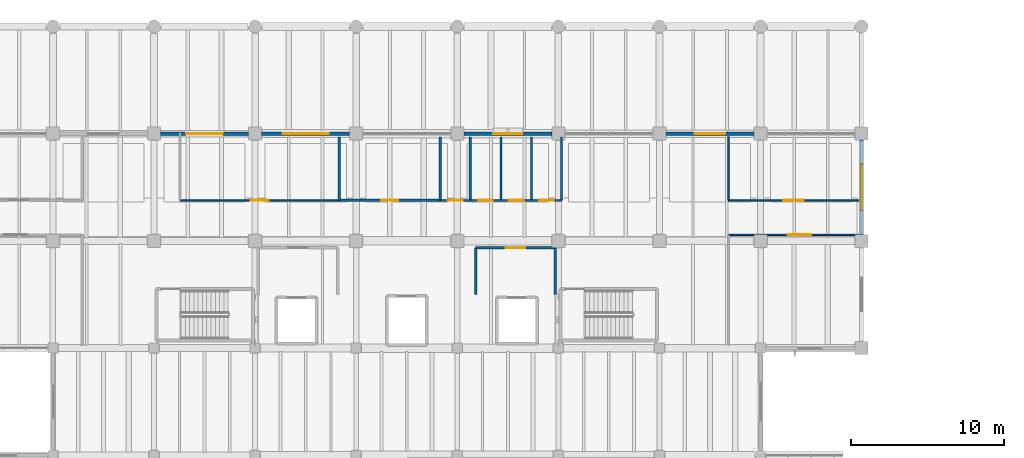
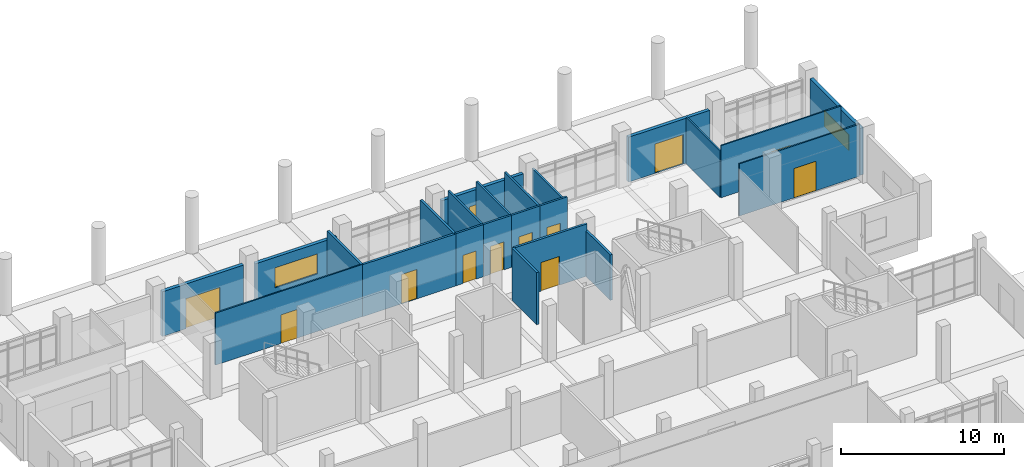
# One storey, part 50 of 69: 23 walls, 11 doors, 3 windows, 14 openings.
"""IFC4 building model written with IfcOpenShell, lengths in metres."""

import ifcopenshell
import ifcopenshell.guid

model = None  # the IFC model being written
_history = None  # IfcOwnerHistory: only IFC2X3 demands one
_inside = {}  # id of a spatial element -> (the spatial element, [elements in it])
_under = {}  # id of a project, library or spatial element -> (it, [spatial elements below it])
_declared = {}  # id of a project -> (the project, [libraries it declares])
_typed = {}  # id of a type object -> (the type object, [elements of that type])
_made_of = {}  # id of a material, layer set ... -> (it, [elements and type objects made of it])


def new_model(schema):
    """Start an empty IFC model of exactly this schema.

    Asked for "IFC4X3", IfcOpenShell would pick the latest addendum, in which some entities
    have other attributes; the version numbers below select the first issue.
    IFC2X3 requires an IfcOwnerHistory on every rooted entity: one is made here for all.
    """
    global model, _history
    if schema == "IFC4X3":
        model = ifcopenshell.file(schema_version=(4, 3, 0, 0))
    else:
        model = ifcopenshell.file(schema=schema)
    _inside.clear()
    _under.clear()
    _declared.clear()
    _typed.clear()
    _made_of.clear()
    _history = None
    if model.schema == "IFC2X3":
        org = make("IfcOrganization", Name="unknown")
        user = make(
            "IfcPersonAndOrganization",
            ThePerson=make("IfcPerson", FamilyName="unknown"),
            TheOrganization=org,
        )
        app = make(
            "IfcApplication",
            ApplicationDeveloper=org,
            Version="unknown",
            ApplicationFullName="unknown",
            ApplicationIdentifier="unknown",
        )
        _history = make(
            "IfcOwnerHistory",
            OwningUser=user,
            OwningApplication=app,
            ChangeAction="ADDED",
            CreationDate=0,
        )
    return model


def make(cls, **values):
    """One entity of the class cls with the attributes given. An attribute that is None is left unset."""
    return model.create_entity(
        cls, **{name: value for name, value in values.items() if value is not None}
    )


def rooted(cls, **values):
    """An entity with a GlobalId (a new one), such as an element, a storey or a relation."""
    return make(cls, GlobalId=ifcopenshell.guid.new(), OwnerHistory=_history, **values)


def si_unit(unit_type, name, prefix=None):
    """IfcSIUnit, for example si_unit("LENGTHUNIT", "METRE", prefix="MILLI")."""
    return make("IfcSIUnit", UnitType=unit_type, Prefix=prefix, Name=name)


def assignment(units):
    """IfcUnitAssignment: the units of a project."""
    return None if units is None else make("IfcUnitAssignment", Units=units)


def point(xyz):
    """IfcCartesianPoint."""
    return None if xyz is None else make("IfcCartesianPoint", Coordinates=xyz)


def direction(xyz):
    """IfcDirection."""
    return None if xyz is None else make("IfcDirection", DirectionRatios=xyz)


def frame(location, z_axis=None, x_axis=None):
    """IfcAxis2Placement3D, a coordinate frame: its origin and axes. An axis left out is left unset."""
    return make(
        "IfcAxis2Placement3D",
        Location=point(location),
        Axis=direction(z_axis),
        RefDirection=direction(x_axis),
    )


def frame_2d(location, x_axis=None):
    """IfcAxis2Placement2D, a coordinate frame in the plane: its origin and x axis."""
    return make(
        "IfcAxis2Placement2D", Location=point(location), RefDirection=direction(x_axis)
    )


def origin():
    """The frame at (0, 0, 0) with its axes left unset."""
    return frame((0.0, 0.0, 0.0))


def place(relative_to, where):
    """IfcLocalPlacement: puts the frame where relative to a parent placement (None: the world)."""
    return make(
        "IfcLocalPlacement", PlacementRelTo=relative_to, RelativePlacement=where
    )


def context(
    kind, dimensions, precision=None, world=None, true_north=None, identifier=None
):
    """IfcGeometricRepresentationContext, for example the 3D "Model" context."""
    return make(
        "IfcGeometricRepresentationContext",
        ContextIdentifier=identifier,
        ContextType=kind,
        CoordinateSpaceDimension=dimensions,
        Precision=precision,
        WorldCoordinateSystem=world,
        TrueNorth=true_north,
    )


def subcontext(parent, identifier, kind, view, scale=None):
    """IfcGeometricRepresentationSubContext, for example "Body" below "Model"."""
    return make(
        "IfcGeometricRepresentationSubContext",
        ContextIdentifier=identifier,
        ContextType=kind,
        ParentContext=parent,
        TargetScale=scale,
        TargetView=view,
    )


def project(units=None, contexts=None):
    """IfcProject with its units and contexts."""
    return rooted(
        "IfcProject",
        Name="project",
        RepresentationContexts=contexts,
        UnitsInContext=assignment(units),
    )


def spatial(cls, under=None, at=None, **own):
    """A site, building, storey or space (cls), placed at a placement, below another one or the project."""
    s = rooted(cls, ObjectPlacement=at, **own)
    if under is not None:
        _under.setdefault(under.id(), (under, []))[1].append(s)
    return s


def profile(cls, at=None, kind="AREA", **sizes):
    """A parametric profile (cls). Its sizes go by their IFC names, for example OverallWidth=200.0."""
    return make(cls, ProfileType=kind, Position=at, **sizes)


def rectangle(**sizes):
    """IfcRectangleProfileDef."""
    return profile("IfcRectangleProfileDef", **sizes)


def extrude(swept, where, along, depth):
    """IfcExtrudedAreaSolid: the profile swept, set in the frame where, extruded along a direction by depth."""
    return make(
        "IfcExtrudedAreaSolid",
        SweptArea=swept,
        Position=where,
        ExtrudedDirection=direction(along),
        Depth=depth,
    )


def shape(context_of_items, identifier, shape_type, items):
    """IfcShapeRepresentation: the items that make up one representation, for example the "Body"."""
    return make(
        "IfcShapeRepresentation",
        ContextOfItems=context_of_items,
        RepresentationIdentifier=identifier,
        RepresentationType=shape_type,
        Items=items,
    )


def material(Name=None, Category=None):
    """IfcMaterial."""
    return make("IfcMaterial", Name=Name, Category=Category)


def layer(
    of_material, thickness, ventilated=None, Name=None, Category=None, Priority=None
):
    """IfcMaterialLayer: one layer of a wall or slab, of a material (None: an air gap)."""
    return make(
        "IfcMaterialLayer",
        Material=of_material,
        LayerThickness=thickness,
        IsVentilated=ventilated,
        Name=Name,
        Category=Category,
        Priority=Priority,
    )


def layer_set(layers, Name=None):
    """IfcMaterialLayerSet."""
    return make("IfcMaterialLayerSet", MaterialLayers=layers, LayerSetName=Name)


def made_of(thing, what):
    """Note that an element or type object is made of a material, layer set ...; save() writes the relation."""
    if what is not None:
        _made_of.setdefault(what.id(), (what, []))[1].append(thing)
    return thing


def type_object(cls, material=None, **own):
    """A type object (cls), such as IfcWallType, which elements share."""
    return made_of(rooted(cls, **own), material)


def element(
    cls,
    number,
    at=None,
    inside=None,
    cuts=None,
    type_object=None,
    material=None,
    context=None,
    identifier="Body",
    shape_type=None,
    held_by="IfcProductDefinitionShape",
    body=None,
    shapes=None,
    **own,
):
    """One element of the class cls, such as IfcWall. Its Tag is "e" and its number.

    at: its placement. inside: the storey or other place that contains it. cuts: it is an
    opening in that element (IfcRelVoidsElement). A single representation is given by context,
    identifier, shape_type and body (its items); several are given by shapes. held_by: the class
    of the entity that holds the representations. save() writes the other relations.
    """
    e = rooted(cls, Tag="e%d" % number, ObjectPlacement=at, **own)
    if body is not None:
        shapes = [shape(context, identifier, shape_type, body)]
    if shapes is not None:
        e.Representation = make(held_by, Representations=shapes)
    if inside is not None:
        _inside.setdefault(inside.id(), (inside, []))[1].append(e)
    if cuts is not None:
        rooted(
            "IfcRelVoidsElement", RelatingBuildingElement=cuts, RelatedOpeningElement=e
        )
    if type_object is not None:
        _typed.setdefault(type_object.id(), (type_object, []))[1].append(e)
    return made_of(e, material)


def fill(opening, filler):
    """IfcRelFillsElement: the door or window that sits in an opening."""
    return rooted(
        "IfcRelFillsElement",
        RelatingOpeningElement=opening,
        RelatedBuildingElement=filler,
    )


def aggregate(whole, parts):
    """IfcRelAggregates: a whole, such as a stair, and the parts it consists of."""
    return rooted("IfcRelAggregates", RelatingObject=whole, RelatedObjects=parts)


def save(model, path):
    """Write the relations noted so far, then the file.

    IfcRelAggregates (storeys below a building ...), IfcRelContainedInSpatialStructure (elements
    in a storey), IfcRelDefinesByType, IfcRelAssociatesMaterial and IfcRelDeclares: one each for
    every whole, place, type object, material and project.
    """
    for whole, parts in _under.values():
        aggregate(whole, parts)
    for where, things in _inside.values():
        rooted(
            "IfcRelContainedInSpatialStructure",
            RelatedElements=things,
            RelatingStructure=where,
        )
    for kind, things in _typed.values():
        rooted("IfcRelDefinesByType", RelatedObjects=things, RelatingType=kind)
    for what, things in _made_of.values():
        rooted("IfcRelAssociatesMaterial", RelatedObjects=things, RelatingMaterial=what)
    for by, libraries in _declared.values():
        rooted("IfcRelDeclares", RelatingContext=by, RelatedDefinitions=libraries)
    model.write(path)


model = new_model("IFC4")

# Units and contexts
model_context = context("Model", 3, precision=1e-05, world=origin(), true_north=direction((0.0, 1.0)))
body_context = subcontext(model_context, "Body", "Model", "MODEL_VIEW")
ifc_project = project(units=[si_unit("LENGTHUNIT", "METRE"), si_unit("AREAUNIT", "SQUARE_METRE"), si_unit("VOLUMEUNIT", "CUBIC_METRE"), si_unit("PLANEANGLEUNIT", "RADIAN"), si_unit("MASSUNIT", "GRAM", prefix="KILO")], contexts=[model_context])

# Site, building, storey
site_placement = place(None, origin())
site = spatial("IfcSite", under=ifc_project, at=site_placement, CompositionType="ELEMENT")
building_placement = place(site_placement, origin())
building = spatial("IfcBuilding", under=site, at=building_placement, Name="Ciguamira Faculty of Natural Sciences", CompositionType="ELEMENT")
storey_placement = place(building_placement, origin())
storey = spatial("IfcBuildingStorey", under=building, at=storey_placement, Name="L00", CompositionType="ELEMENT", Elevation=0.0)

# Wall, opening, door
ifc_material_1 = material(Name="Precast concrete C40/50", Category="concrete")
ifc_layer_1 = layer(ifc_material_1, 0.239990234375, Name="Precast concrete C40/50")
ifc_layer_set_1 = layer_set([ifc_layer_1], Name="Precast concrete C40/50")
wall_type_1 = type_object("IfcWallType", Name="ExtWall_EW-02_240", PredefinedType="SOLIDWALL", material=ifc_layer_set_1)
wall_1_placement = place(storey_placement, frame((70.925048828125, 108.0, 0.0), z_axis=(0.0, 0.0, 1.0), x_axis=(1.0, 0.0, 0.0)))
wall_1 = element("IfcWall", 1, at=wall_1_placement, inside=storey, type_object=wall_type_1, Name="L00 exterior wall 0101", PredefinedType="SOLIDWALL", context=body_context, shape_type="SweptSolid", body=[
    extrude(rectangle(XDim=5.75, YDim=0.239990234375, at=frame_2d((2.875, 0.0))), origin(), (0.0, 0.0, 1.0), 3.344970703125),
])
opening_1_placement = place(wall_1_placement, frame((1.675048828125, 0.0, 0.0)))
opening_1 = element("IfcOpeningElement", 2, at=opening_1_placement, cuts=wall_1, Name="Opening ED-03", PredefinedType="OPENING", context=body_context, shape_type="SweptSolid", body=[
    extrude(rectangle(XDim=2.39990234375, YDim=2.25, at=frame_2d((1.199951171875, 1.125))), frame((0.0, 0.1298828125, 0.0), z_axis=(0.0, -1.0, 0.0), x_axis=(1.0, 0.0, 0.0)), (0.0, 0.0, 1.0), 0.260009765625),
])
ifc_material_2 = material(Name="Grand concourse glazed entrance door")
door_type_1 = type_object("IfcDoorType", Name="ExtDoor_ED-03_2400x2250", OperationType="NOTDEFINED", PredefinedType="DOOR", material=ifc_material_2)
door_1_placement = place(opening_1_placement, origin())
door_1 = element("IfcDoor", 3, at=door_1_placement, inside=storey, type_object=door_type_1, Name="North Boulevard Pilotis Main Entrance ED-13", OperationType="DOUBLE_DOOR_SINGLE_SWING", OverallHeight=2.25, OverallWidth=2.39990234375, PredefinedType="DOOR", context=body_context, shape_type="SweptSolid", body=[
    extrude(rectangle(XDim=2.39990234375, YDim=2.25, at=frame_2d((1.199951171875, 1.125))), frame((0.0, 0.02490234375, 0.0), z_axis=(0.0, -1.0, 0.0), x_axis=(1.0, 0.0, 0.0)), (0.0, 0.0, 1.0), 0.050048828125),
])
fill(opening_1, door_1)

# Wall, opening, window
wall_2_placement = place(storey_placement, frame((77.52490234375, 108.0, 0.0), z_axis=(0.0, 0.0, 1.0), x_axis=(1.0, 0.0, 0.0)))
wall_2 = element("IfcWall", 4, at=wall_2_placement, inside=storey, type_object=wall_type_1, Name="L00 exterior wall 0102", PredefinedType="SOLIDWALL", context=body_context, shape_type="SweptSolid", body=[
    extrude(rectangle(XDim=5.75, YDim=0.239990234375, at=frame_2d((2.875, 0.0))), origin(), (0.0, 0.0, 1.0), 3.135009765625),
])
opening_2_placement = place(wall_2_placement, frame((1.375, 0.0, 0.85009765625)))
opening_2 = element("IfcOpeningElement", 5, at=opening_2_placement, cuts=wall_2, Name="Opening WT-14", PredefinedType="OPENING", context=body_context, shape_type="SweptSolid", body=[
    extrude(rectangle(XDim=3.0, YDim=1.5, at=frame_2d((1.5, 0.75))), frame((0.0, 0.1298828125, 0.0), z_axis=(0.0, -1.0, 0.0), x_axis=(1.0, 0.0, 0.0)), (0.0, 0.0, 1.0), 0.260009765625),
])
ifc_material_3 = material(Name="Hurricane laminated solar glass", Category="glass")
window_type_1 = type_object("IfcWindowType", Name="Window_WT-14_3000x1500", PartitioningType="DOUBLE_PANEL_VERTICAL", PredefinedType="WINDOW", material=ifc_material_3)
window_1_placement = place(opening_2_placement, origin())
window_1 = element("IfcWindow", 6, at=window_1_placement, inside=storey, type_object=window_type_1, Name="L00 facade window 0025", OverallHeight=1.5, OverallWidth=3.0, PartitioningType="SINGLE_PANEL", PredefinedType="WINDOW", context=body_context, shape_type="SweptSolid", body=[
    extrude(rectangle(XDim=3.0, YDim=1.5, at=frame_2d((1.5, 0.75))), frame((0.0, 0.030029296875, 0.0), z_axis=(0.0, -1.0, 0.0), x_axis=(1.0, 0.0, 0.0)), (0.0, 0.0, 1.0), 0.06005859375),
])
fill(opening_2, window_1)

wall_3_placement = place(storey_placement, frame((90.72509765625, 108.0, 0.0), z_axis=(0.0, 0.0, 1.0), x_axis=(1.0, 0.0, 0.0)))
wall_3 = element("IfcWall", 7, at=wall_3_placement, inside=storey, type_object=wall_type_1, Name="L00 exterior wall 0103", PredefinedType="SOLIDWALL", context=body_context, shape_type="SweptSolid", body=[
    extrude(rectangle(XDim=5.75, YDim=0.239990234375, at=frame_2d((2.875, 0.0))), origin(), (0.0, 0.0, 1.0), 3.235107421875),
])
opening_3_placement = place(wall_3_placement, frame((1.925048828125, 0.0, 0.85009765625)))
opening_3 = element("IfcOpeningElement", 8, at=opening_3_placement, cuts=wall_3, Name="Opening WT-17", PredefinedType="OPENING", context=body_context, shape_type="SweptSolid", body=[
    extrude(rectangle(XDim=1.89990234375, YDim=1.25, at=frame_2d((0.949951171875, 0.625))), frame((0.0, 0.1298828125, 0.0), z_axis=(0.0, -1.0, 0.0), x_axis=(1.0, 0.0, 0.0)), (0.0, 0.0, 1.0), 0.260009765625),
])
window_type_2 = type_object("IfcWindowType", Name="Window_WT-17_1900x1250", PartitioningType="DOUBLE_PANEL_VERTICAL", PredefinedType="WINDOW", material=ifc_material_3)
window_2_placement = place(opening_3_placement, origin())
window_2 = element("IfcWindow", 9, at=window_2_placement, inside=storey, type_object=window_type_2, Name="L00 facade window 0026", OverallHeight=1.25, OverallWidth=1.89990234375, PartitioningType="SINGLE_PANEL", PredefinedType="WINDOW", context=body_context, shape_type="SweptSolid", body=[
    extrude(rectangle(XDim=1.89990234375, YDim=1.25, at=frame_2d((0.949951171875, 0.625))), frame((0.0, 0.030029296875, 0.0), z_axis=(0.0, -1.0, 0.0), x_axis=(1.0, 0.0, 0.0)), (0.0, 0.0, 1.0), 0.06005859375),
])
fill(opening_3, window_2)

# Wall, opening, door
wall_4_placement = place(storey_placement, frame((103.925048828125, 108.0, 0.0), z_axis=(0.0, 0.0, 1.0), x_axis=(1.0, 0.0, 0.0)))
wall_4 = element("IfcWall", 10, at=wall_4_placement, inside=storey, type_object=wall_type_1, Name="L00 exterior wall 0104", PredefinedType="SOLIDWALL", context=body_context, shape_type="SweptSolid", body=[
    extrude(rectangle(XDim=5.75, YDim=0.239990234375, at=frame_2d((2.875, 0.0))), origin(), (0.0, 0.0, 1.0), 3.364990234375),
])
opening_4_placement = place(wall_4_placement, frame((1.875, 0.0, 0.0)))
opening_4 = element("IfcOpeningElement", 11, at=opening_4_placement, cuts=wall_4, Name="Opening ED-01", PredefinedType="OPENING", context=body_context, shape_type="SweptSolid", body=[
    extrude(rectangle(XDim=2.0, YDim=2.199951171875, at=frame_2d((1.0, 1.10009765625))), frame((0.0, 0.1298828125, 0.0), z_axis=(0.0, -1.0, 0.0), x_axis=(1.0, 0.0, 0.0)), (0.0, 0.0, 1.0), 0.260009765625),
])
ifc_material_4 = material(Name="Anodized aluminium double exit door", Category="aluminium")
door_type_2 = type_object("IfcDoorType", Name="ExtDoor_ED-01_2000x2200", OperationType="NOTDEFINED", PredefinedType="DOOR", material=ifc_material_4)
door_2_placement = place(opening_4_placement, origin())
door_2 = element("IfcDoor", 12, at=door_2_placement, inside=storey, type_object=door_type_2, Name="Tower East Boulevard Final Exit ED-14", OperationType="DOUBLE_DOOR_SINGLE_SWING", OverallHeight=2.199951171875, OverallWidth=2.0, PredefinedType="DOOR", context=body_context, shape_type="SweptSolid", body=[
    extrude(rectangle(XDim=2.0, YDim=2.199951171875, at=frame_2d((1.0, 1.10009765625))), frame((0.0, 0.02490234375, 0.0), z_axis=(0.0, -1.0, 0.0), x_axis=(1.0, 0.0, 0.0)), (0.0, 0.0, 1.0), 0.050048828125),
])
fill(opening_4, door_2)

# Wall, opening, window
wall_5_placement = place(storey_placement, frame((116.699951171875, 101.425048828125, 0.0), z_axis=(0.0, 0.0, 1.0), x_axis=(0.0, 1.0, 0.0)))
wall_5 = element("IfcWall", 13, at=wall_5_placement, inside=storey, type_object=wall_type_1, Name="L00 exterior wall 0132", PredefinedType="SOLIDWALL", context=body_context, shape_type="SweptSolid", body=[
    extrude(rectangle(XDim=6.14990234375, YDim=0.239990234375, at=frame_2d((3.074951171875, 0.0))), origin(), (0.0, 0.0, 1.0), 3.5048828125),
])
opening_5_placement = place(wall_5_placement, frame((1.574951171875, 0.0, 0.85009765625)))
opening_5 = element("IfcOpeningElement", 14, at=opening_5_placement, cuts=wall_5, Name="Opening WT-33", PredefinedType="OPENING", context=body_context, shape_type="SweptSolid", body=[
    extrude(rectangle(XDim=3.0, YDim=1.199951171875, at=frame_2d((1.5, 0.60009765625))), frame((0.0, 0.1298828125, 0.0), z_axis=(0.0, -1.0, 0.0), x_axis=(1.0, 0.0, 0.0)), (0.0, 0.0, 1.0), 0.260009765625),
])
window_type_3 = type_object("IfcWindowType", Name="Window_WT-33_3000x1200", PartitioningType="DOUBLE_PANEL_VERTICAL", PredefinedType="WINDOW", material=ifc_material_3)
window_3_placement = place(opening_5_placement, origin())
window_3 = element("IfcWindow", 15, at=window_3_placement, inside=storey, type_object=window_type_3, Name="L00 facade window 0049", OverallHeight=1.199951171875, OverallWidth=3.0, PartitioningType="SINGLE_PANEL", PredefinedType="WINDOW", context=body_context, shape_type="SweptSolid", body=[
    extrude(rectangle(XDim=3.0, YDim=1.199951171875, at=frame_2d((1.5, 0.60009765625))), frame((0.0, 0.030029296875, 0.0), z_axis=(0.0, -1.0, 0.0), x_axis=(1.0, 0.0, 0.0)), (0.0, 0.0, 1.0), 0.06005859375),
])
fill(opening_5, window_3)

# Wall, opening, door
ifc_material_5 = material(Name="Fire-rated gypsum partition")
ifc_layer_2 = layer(ifc_material_5, 0.10009765625, Name="Fire-rated gypsum partition")
ifc_layer_set_2 = layer_set([ifc_layer_2], Name="Fire-rated gypsum partition")
wall_type_2 = type_object("IfcWallType", Name="IntWall_IW-A10_100", PredefinedType="PARTITIONING", material=ifc_layer_set_2)
wall_6_placement = place(storey_placement, frame((72.199951171875, 103.64990234375, 0.0), z_axis=(0.0, 0.0, 1.0), x_axis=(1.0, 0.0, 0.0)))
wall_6 = element("IfcWall", 16, at=wall_6_placement, inside=storey, type_object=wall_type_2, Name="L00 North Boulevard Entrance Reception Hall partition south", PredefinedType="PARTITIONING", context=body_context, shape_type="SweptSolid", body=[
    extrude(rectangle(XDim=10.400146484375, YDim=0.10009765625, at=frame_2d((5.2001953125, 0.0))), origin(), (0.0, 0.0, 1.0), 3.89990234375),
])
opening_6_placement = place(wall_6_placement, frame((4.625, 0.0, 0.0)))
opening_6 = element("IfcOpeningElement", 17, at=opening_6_placement, cuts=wall_6, Name="Opening ID-05", PredefinedType="OPENING", context=body_context, shape_type="SweptSolid", body=[
    extrude(rectangle(XDim=1.14990234375, YDim=2.14990234375, at=frame_2d((0.574951171875, 1.074951171875))), frame((0.0, 0.06005859375, 0.0), z_axis=(0.0, -1.0, 0.0), x_axis=(1.0, 0.0, 0.0)), (0.0, 0.0, 1.0), 0.1201171875),
])
ifc_material_6 = material(Name="Research office wide door")
door_type_3 = type_object("IfcDoorType", Name="IntDoor_ID-05_1150x2150", OperationType="NOTDEFINED", PredefinedType="DOOR", material=ifc_material_6)
door_3_placement = place(opening_6_placement, origin())
door_3 = element("IfcDoor", 18, at=door_3_placement, inside=storey, type_object=door_type_3, Name="L00 North Boulevard Entrance Reception Hall door", OperationType="SINGLE_SWING_LEFT", OverallHeight=2.14990234375, OverallWidth=1.14990234375, PredefinedType="DOOR", context=body_context, shape_type="SweptSolid", body=[
    extrude(rectangle(XDim=1.14990234375, YDim=2.14990234375, at=frame_2d((0.574951171875, 1.074951171875))), frame((0.0, 0.02490234375, 0.0), z_axis=(0.0, -1.0, 0.0), x_axis=(1.0, 0.0, 0.0)), (0.0, 0.0, 1.0), 0.050048828125),
])
fill(opening_6, door_3)

wall_7_placement = place(storey_placement, frame((108.0, 103.64990234375, 0.0), z_axis=(0.0, 0.0, 1.0), x_axis=(1.0, 0.0, 0.0)))
wall_7 = element("IfcWall", 19, at=wall_7_placement, inside=storey, type_object=wall_type_2, Name="L00 Faculty Security and Mail Office partition south", PredefinedType="PARTITIONING", context=body_context, shape_type="SweptSolid", body=[
    extrude(rectangle(XDim=8.5, YDim=0.10009765625, at=frame_2d((4.25, 0.0))), origin(), (0.0, 0.0, 1.0), 3.89990234375),
])
opening_7_placement = place(wall_7_placement, frame((3.574951171875, 0.0, 0.0)))
opening_7 = element("IfcOpeningElement", 20, at=opening_7_placement, cuts=wall_7, Name="Opening ID-07", PredefinedType="OPENING", context=body_context, shape_type="SweptSolid", body=[
    extrude(rectangle(XDim=1.35009765625, YDim=2.199951171875, at=frame_2d((0.675048828125, 1.10009765625))), frame((0.0, 0.06005859375, 0.0), z_axis=(0.0, -1.0, 0.0), x_axis=(1.0, 0.0, 0.0)), (0.0, 0.0, 1.0), 0.1201171875),
])
ifc_material_7 = material(Name="Laboratory prep fire door")
door_type_4 = type_object("IfcDoorType", Name="IntDoor_ID-07_1350x2200", OperationType="NOTDEFINED", PredefinedType="DOOR", material=ifc_material_7)
door_4_placement = place(opening_7_placement, origin())
door_4 = element("IfcDoor", 21, at=door_4_placement, inside=storey, type_object=door_type_4, Name="L00 Faculty Security and Mail Office door", OperationType="SINGLE_SWING_LEFT", OverallHeight=2.199951171875, OverallWidth=1.35009765625, PredefinedType="DOOR", context=body_context, shape_type="SweptSolid", body=[
    extrude(rectangle(XDim=1.35009765625, YDim=2.199951171875, at=frame_2d((0.675048828125, 1.10009765625))), frame((0.0, 0.02490234375, 0.0), z_axis=(0.0, -1.0, 0.0), x_axis=(1.0, 0.0, 0.0)), (0.0, 0.0, 1.0), 0.050048828125),
])
fill(opening_7, door_4)

# Wall
wall_8_placement = place(storey_placement, frame((108.0, 103.64990234375, 0.0), z_axis=(0.0, 0.0, 1.0), x_axis=(0.0, 1.0, 0.0)))
element("IfcWall", 22, at=wall_8_placement, inside=storey, type_object=wall_type_2, Name="L00 Faculty Security and Mail Office partition west", PredefinedType="PARTITIONING", context=body_context, shape_type="SweptSolid", body=[
    extrude(rectangle(XDim=4.150146484375, YDim=0.10009765625, at=frame_2d((2.0751953125, 0.0))), origin(), (0.0, 0.0, 1.0), 3.482666015625),
])

# Wall, opening, door
wall_9_placement = place(storey_placement, frame((108.0, 101.39990234375, 0.0), z_axis=(0.0, 0.0, 1.0), x_axis=(1.0, 0.0, 0.0)))
wall_9 = element("IfcWall", 23, at=wall_9_placement, inside=storey, type_object=wall_type_2, Name="L00 Faculty Administration Office partition north", PredefinedType="PARTITIONING", context=body_context, shape_type="SweptSolid", body=[
    extrude(rectangle(XDim=8.5, YDim=0.10009765625, at=frame_2d((4.25, 0.0))), origin(), (0.0, 0.0, 1.0), 3.89990234375),
])
opening_8_placement = place(wall_9_placement, frame((3.875, 0.0, 0.0)))
opening_8 = element("IfcOpeningElement", 24, at=opening_8_placement, cuts=wall_9, Name="Opening ID-09", PredefinedType="OPENING", context=body_context, shape_type="SweptSolid", body=[
    extrude(rectangle(XDim=1.550048828125, YDim=2.199951171875, at=frame_2d((0.77490234375, 1.10009765625))), frame((0.0, 0.06005859375, 0.0), z_axis=(0.0, -1.0, 0.0), x_axis=(1.0, 0.0, 0.0)), (0.0, 0.0, 1.0), 0.1201171875),
])
ifc_material_8 = material(Name="Teaching laboratory double door")
door_type_5 = type_object("IfcDoorType", Name="IntDoor_ID-09_1550x2200", OperationType="NOTDEFINED", PredefinedType="DOOR", material=ifc_material_8)
door_5_placement = place(opening_8_placement, frame((1.550048828125, 0.0, 0.0), z_axis=(0.0, 0.0, 1.0), x_axis=(-1.0, 0.0, 0.0)))
door_5 = element("IfcDoor", 25, at=door_5_placement, inside=storey, type_object=door_type_5, Name="L00 Faculty Administration Office door", OperationType="SINGLE_SWING_LEFT", OverallHeight=2.199951171875, OverallWidth=1.550048828125, PredefinedType="DOOR", context=body_context, shape_type="SweptSolid", body=[
    extrude(rectangle(XDim=1.550048828125, YDim=2.199951171875, at=frame_2d((0.77490234375, 1.10009765625))), frame((0.0, 0.02490234375, 0.0), z_axis=(0.0, -1.0, 0.0), x_axis=(1.0, 0.0, 0.0)), (0.0, 0.0, 1.0), 0.050048828125),
])
fill(opening_8, door_5)

ifc_material_9 = material(Name="Fire-rated blockwork wall", Category="masonry")
ifc_layer_3 = layer(ifc_material_9, 0.159912109375, Name="Fire-rated blockwork wall")
ifc_layer_set_3 = layer_set([ifc_layer_3], Name="Fire-rated blockwork wall")
wall_type_3 = type_object("IfcWallType", Name="IntWall_IW-F16_160", PredefinedType="SOLIDWALL", material=ifc_layer_set_3)
wall_10_placement = place(storey_placement, frame((91.5, 100.550048828125, 0.0), z_axis=(0.0, 0.0, 1.0), x_axis=(1.0, 0.0, 0.0)))
wall_10 = element("IfcWall", 26, at=wall_10_placement, inside=storey, type_object=wall_type_3, Name="L00 Firefighting Lift Lobby 2 partition north", PredefinedType="SOLIDWALL", context=body_context, shape_type="SweptSolid", body=[
    extrude(rectangle(XDim=5.199951171875, YDim=0.159912109375, at=frame_2d((2.60009765625, 0.0))), origin(), (0.0, 0.0, 1.0), 3.89990234375),
])
opening_9_placement = place(wall_10_placement, frame((1.949951171875, 0.0, 0.0)))
opening_9 = element("IfcOpeningElement", 27, at=opening_9_placement, cuts=wall_10, Name="Opening ID-15", PredefinedType="OPENING", context=body_context, shape_type="SweptSolid", body=[
    extrude(rectangle(XDim=1.300048828125, YDim=2.14990234375, at=frame_2d((0.64990234375, 1.074951171875))), frame((0.0, 0.08984375, 0.0), z_axis=(0.0, -1.0, 0.0), x_axis=(1.0, 0.0, 0.0)), (0.0, 0.0, 1.0), 0.179931640625),
])
ifc_material_10 = material(Name="Firefighting lift lobby fire door")
door_type_6 = type_object("IfcDoorType", Name="IntDoor_ID-15_1300x2150", OperationType="NOTDEFINED", PredefinedType="DOOR", material=ifc_material_10)
door_6_placement = place(opening_9_placement, frame((1.300048828125, 0.0, 0.0), z_axis=(0.0, 0.0, 1.0), x_axis=(-1.0, 0.0, 0.0)))
door_6 = element("IfcDoor", 28, at=door_6_placement, inside=storey, type_object=door_type_6, Name="L00 Firefighting Lift Lobby 2 door", OperationType="SINGLE_SWING_LEFT", OverallHeight=2.14990234375, OverallWidth=1.300048828125, PredefinedType="DOOR", context=body_context, shape_type="SweptSolid", body=[
    extrude(rectangle(XDim=1.300048828125, YDim=2.14990234375, at=frame_2d((0.64990234375, 1.074951171875))), frame((0.0, 0.02490234375, 0.0), z_axis=(0.0, -1.0, 0.0), x_axis=(1.0, 0.0, 0.0)), (0.0, 0.0, 1.0), 0.050048828125),
])
fill(opening_9, door_6)

# Walls
wall_11_placement = place(storey_placement, frame((91.5, 97.5, 0.0), z_axis=(0.0, 0.0, 1.0), x_axis=(0.0, 1.0, 0.0)))
element("IfcWall", 29, at=wall_11_placement, inside=storey, type_object=wall_type_3, Name="L00 Firefighting Lift Lobby 2 partition west", PredefinedType="SOLIDWALL", context=body_context, shape_type="SweptSolid", body=[
    extrude(rectangle(XDim=3.050048828125, YDim=0.159912109375, at=frame_2d((1.52490234375, 0.0))), origin(), (0.0, 0.0, 1.0), 3.89990234375),
])
wall_12_placement = place(storey_placement, frame((96.699951171875, 97.5, 0.0), z_axis=(0.0, 0.0, 1.0), x_axis=(0.0, 1.0, 0.0)))
element("IfcWall", 30, at=wall_12_placement, inside=storey, type_object=wall_type_3, Name="L00 Firefighting Lift Lobby 2 partition east", PredefinedType="SOLIDWALL", context=body_context, shape_type="SweptSolid", body=[
    extrude(rectangle(XDim=3.050048828125, YDim=0.159912109375, at=frame_2d((1.52490234375, 0.0))), origin(), (0.0, 0.0, 1.0), 3.405029296875),
])

# Wall, opening, door
wall_13_placement = place(storey_placement, frame((82.60009765625, 103.64990234375, 0.0), z_axis=(0.0, 0.0, 1.0), x_axis=(1.0, 0.0, 0.0)))
wall_13 = element("IfcWall", 31, at=wall_13_placement, inside=storey, type_object=wall_type_3, Name="L00 Fire Command Room partition south", PredefinedType="SOLIDWALL", context=body_context, shape_type="SweptSolid", body=[
    extrude(rectangle(XDim=6.599853515625, YDim=0.159912109375, at=frame_2d((3.2998046875, 0.0))), origin(), (0.0, 0.0, 1.0), 3.89990234375),
])
opening_10_placement = place(wall_13_placement, frame((2.75, 0.0, 0.0)))
opening_10 = element("IfcOpeningElement", 32, at=opening_10_placement, cuts=wall_13, Name="Opening ID-16", PredefinedType="OPENING", context=body_context, shape_type="SweptSolid", body=[
    extrude(rectangle(XDim=1.10009765625, YDim=2.199951171875, at=frame_2d((0.550048828125, 1.10009765625))), frame((0.0, 0.08984375, 0.0), z_axis=(0.0, -1.0, 0.0), x_axis=(1.0, 0.0, 0.0)), (0.0, 0.0, 1.0), 0.179931640625),
])
ifc_material_11 = material(Name="Fire command centre rated door")
door_type_7 = type_object("IfcDoorType", Name="IntDoor_ID-16_1100x2200", OperationType="NOTDEFINED", PredefinedType="DOOR", material=ifc_material_11)
door_7_placement = place(opening_10_placement, origin())
door_7 = element("IfcDoor", 33, at=door_7_placement, inside=storey, type_object=door_type_7, Name="L00 Fire Command Room door", OperationType="SINGLE_SWING_RIGHT", OverallHeight=2.199951171875, OverallWidth=1.10009765625, PredefinedType="DOOR", context=body_context, shape_type="SweptSolid", body=[
    extrude(rectangle(XDim=1.10009765625, YDim=2.199951171875, at=frame_2d((0.550048828125, 1.10009765625))), frame((0.0, 0.02490234375, 0.0), z_axis=(0.0, -1.0, 0.0), x_axis=(1.0, 0.0, 0.0)), (0.0, 0.0, 1.0), 0.050048828125),
])
fill(opening_10, door_7)

# Walls
for number, where, z_axis, x_axis, name in (
    (34, (82.60009765625, 103.64990234375, 0.0), (0.0, 0.0, 1.0), (0.0, 1.0, 0.0), "L00 Fire Command Room partition west"),
    (35, (89.199951171875, 103.64990234375, 0.0), (0.0, 0.0, 1.0), (0.0, 1.0, 0.0), "L00 Fire Command Room partition east"),
):
    element("IfcWall", number, at=place(storey_placement, frame(where, z_axis=z_axis, x_axis=x_axis)), inside=storey, type_object=wall_type_3, Name=name, PredefinedType="SOLIDWALL", context=body_context, shape_type="SweptSolid", body=[
        extrude(rectangle(XDim=4.150146484375, YDim=0.159912109375, at=frame_2d((2.0751953125, 0.0))), origin(), (0.0, 0.0, 1.0), 3.89990234375),
    ])

# Wall, opening, door
ifc_material_12 = material(Name="Moisture-resistant service chase wall")
ifc_layer_4 = layer(ifc_material_12, 0.139892578125, Name="Moisture-resistant service chase wall")
ifc_layer_set_4 = layer_set([ifc_layer_4], Name="Moisture-resistant service chase wall")
wall_type_4 = type_object("IfcWallType", Name="IntWall_IW-P14_140", PredefinedType="PLUMBINGWALL", material=ifc_layer_set_4)
wall_14_placement = place(storey_placement, frame((89.199951171875, 103.64990234375, 0.0), z_axis=(0.0, 0.0, 1.0), x_axis=(1.0, 0.0, 0.0)))
wall_14 = element("IfcWall", 36, at=wall_14_placement, inside=storey, type_object=wall_type_4, Name="L00 Accessible WC partition south", PredefinedType="PLUMBINGWALL", context=body_context, shape_type="SweptSolid", body=[
    extrude(rectangle(XDim=1.949951171875, YDim=0.139892578125, at=frame_2d((0.97509765625, 0.0))), origin(), (0.0, 0.0, 1.0), 3.89990234375),
])
opening_11_placement = place(wall_14_placement, frame((0.5, 0.0, 0.0)))
opening_11 = element("IfcOpeningElement", 37, at=opening_11_placement, cuts=wall_14, Name="Opening ID-02", PredefinedType="OPENING", context=body_context, shape_type="SweptSolid", body=[
    extrude(rectangle(XDim=0.949951171875, YDim=2.10009765625, at=frame_2d((0.47509765625, 1.050048828125))), frame((0.0, 0.079833984375, 0.0), z_axis=(0.0, -1.0, 0.0), x_axis=(1.0, 0.0, 0.0)), (0.0, 0.0, 1.0), 0.159912109375),
])
ifc_material_13 = material(Name="Accessible WC outward-clear door")
door_type_8 = type_object("IfcDoorType", Name="IntDoor_ID-02_950x2100", OperationType="NOTDEFINED", PredefinedType="DOOR", material=ifc_material_13)
door_8_placement = place(opening_11_placement, origin())
door_8 = element("IfcDoor", 38, at=door_8_placement, inside=storey, type_object=door_type_8, Name="L00 Accessible WC door", OperationType="SINGLE_SWING_LEFT", OverallHeight=2.10009765625, OverallWidth=0.949951171875, PredefinedType="DOOR", context=body_context, shape_type="SweptSolid", body=[
    extrude(rectangle(XDim=0.949951171875, YDim=2.10009765625, at=frame_2d((0.47509765625, 1.050048828125))), frame((0.0, 0.02490234375, 0.0), z_axis=(0.0, -1.0, 0.0), x_axis=(1.0, 0.0, 0.0)), (0.0, 0.0, 1.0), 0.050048828125),
])
fill(opening_11, door_8)

# Wall
wall_15_placement = place(storey_placement, frame((91.14990234375, 103.64990234375, 0.0), z_axis=(0.0, 0.0, 1.0), x_axis=(0.0, 1.0, 0.0)))
element("IfcWall", 39, at=wall_15_placement, inside=storey, type_object=wall_type_4, Name="L00 Accessible WC partition east", PredefinedType="PLUMBINGWALL", context=body_context, shape_type="SweptSolid", body=[
    extrude(rectangle(XDim=4.150146484375, YDim=0.139892578125, at=frame_2d((2.0751953125, 0.0))), origin(), (0.0, 0.0, 1.0), 3.89990234375),
])

# Wall, opening, door
wall_16_placement = place(storey_placement, frame((91.14990234375, 103.64990234375, 0.0), z_axis=(0.0, 0.0, 1.0), x_axis=(1.0, 0.0, 0.0)))
wall_16 = element("IfcWall", 40, at=wall_16_placement, inside=storey, type_object=wall_type_4, Name="L00 Public Restroom Female partition south", PredefinedType="PLUMBINGWALL", context=body_context, shape_type="SweptSolid", body=[
    extrude(rectangle(XDim=2.0, YDim=0.139892578125, at=frame_2d((1.0, 0.0))), origin(), (0.0, 0.0, 1.0), 3.89990234375),
])
opening_12_placement = place(wall_16_placement, frame((0.52490234375, 0.0, 0.0)))
opening_12 = element("IfcOpeningElement", 41, at=opening_12_placement, cuts=wall_16, Name="Opening ID-02", PredefinedType="OPENING", context=body_context, shape_type="SweptSolid", body=[
    extrude(rectangle(XDim=0.949951171875, YDim=2.10009765625, at=frame_2d((0.47509765625, 1.050048828125))), frame((0.0, 0.079833984375, 0.0), z_axis=(0.0, -1.0, 0.0), x_axis=(1.0, 0.0, 0.0)), (0.0, 0.0, 1.0), 0.159912109375),
])
door_9_placement = place(opening_12_placement, origin())
door_9 = element("IfcDoor", 42, at=door_9_placement, inside=storey, type_object=door_type_8, Name="L00 Public Restroom Female door", OperationType="SINGLE_SWING_RIGHT", OverallHeight=2.10009765625, OverallWidth=0.949951171875, PredefinedType="DOOR", context=body_context, shape_type="SweptSolid", body=[
    extrude(rectangle(XDim=0.949951171875, YDim=2.10009765625, at=frame_2d((0.47509765625, 1.050048828125))), frame((0.0, 0.02490234375, 0.0), z_axis=(0.0, -1.0, 0.0), x_axis=(1.0, 0.0, 0.0)), (0.0, 0.0, 1.0), 0.050048828125),
])
fill(opening_12, door_9)

# Wall
wall_17_placement = place(storey_placement, frame((93.14990234375, 103.64990234375, 0.0), z_axis=(0.0, 0.0, 1.0), x_axis=(0.0, 1.0, 0.0)))
element("IfcWall", 43, at=wall_17_placement, inside=storey, type_object=wall_type_4, Name="L00 Public Restroom Female partition east", PredefinedType="PLUMBINGWALL", context=body_context, shape_type="SweptSolid", body=[
    extrude(rectangle(XDim=4.150146484375, YDim=0.139892578125, at=frame_2d((2.0751953125, 0.0))), origin(), (0.0, 0.0, 1.0), 3.89990234375),
])

# Wall, opening, door
wall_18_placement = place(storey_placement, frame((93.14990234375, 103.64990234375, 0.0), z_axis=(0.0, 0.0, 1.0), x_axis=(1.0, 0.0, 0.0)))
wall_18 = element("IfcWall", 44, at=wall_18_placement, inside=storey, type_object=wall_type_4, Name="L00 Public Restroom Male partition south", PredefinedType="PLUMBINGWALL", context=body_context, shape_type="SweptSolid", body=[
    extrude(rectangle(XDim=2.0, YDim=0.139892578125, at=frame_2d((1.0, 0.0))), origin(), (0.0, 0.0, 1.0), 3.89990234375),
])
opening_13_placement = place(wall_18_placement, frame((0.52490234375, 0.0, 0.0)))
opening_13 = element("IfcOpeningElement", 45, at=opening_13_placement, cuts=wall_18, Name="Opening ID-02", PredefinedType="OPENING", context=body_context, shape_type="SweptSolid", body=[
    extrude(rectangle(XDim=0.949951171875, YDim=2.10009765625, at=frame_2d((0.47509765625, 1.050048828125))), frame((0.0, 0.079833984375, 0.0), z_axis=(0.0, -1.0, 0.0), x_axis=(1.0, 0.0, 0.0)), (0.0, 0.0, 1.0), 0.159912109375),
])
door_10_placement = place(opening_13_placement, origin())
door_10 = element("IfcDoor", 46, at=door_10_placement, inside=storey, type_object=door_type_8, Name="L00 Public Restroom Male door", OperationType="SINGLE_SWING_LEFT", OverallHeight=2.10009765625, OverallWidth=0.949951171875, PredefinedType="DOOR", context=body_context, shape_type="SweptSolid", body=[
    extrude(rectangle(XDim=0.949951171875, YDim=2.10009765625, at=frame_2d((0.47509765625, 1.050048828125))), frame((0.0, 0.02490234375, 0.0), z_axis=(0.0, -1.0, 0.0), x_axis=(1.0, 0.0, 0.0)), (0.0, 0.0, 1.0), 0.050048828125),
])
fill(opening_13, door_10)

# Wall
wall_19_placement = place(storey_placement, frame((95.14990234375, 103.64990234375, 0.0), z_axis=(0.0, 0.0, 1.0), x_axis=(0.0, 1.0, 0.0)))
element("IfcWall", 47, at=wall_19_placement, inside=storey, type_object=wall_type_4, Name="L00 Public Restroom Male partition east", PredefinedType="PLUMBINGWALL", context=body_context, shape_type="SweptSolid", body=[
    extrude(rectangle(XDim=4.150146484375, YDim=0.139892578125, at=frame_2d((2.0751953125, 0.0))), origin(), (0.0, 0.0, 1.0), 3.89990234375),
])

# Wall, opening, door
wall_20_placement = place(storey_placement, frame((95.14990234375, 103.64990234375, 0.0), z_axis=(0.0, 0.0, 1.0), x_axis=(1.0, 0.0, 0.0)))
wall_20 = element("IfcWall", 48, at=wall_20_placement, inside=storey, type_object=wall_type_4, Name="L00 Staff Restroom partition south", PredefinedType="PLUMBINGWALL", context=body_context, shape_type="SweptSolid", body=[
    extrude(rectangle(XDim=1.9501953125, YDim=0.139892578125, at=frame_2d((0.97509765625, 0.0))), origin(), (0.0, 0.0, 1.0), 3.89990234375),
])
opening_14_placement = place(wall_20_placement, frame((0.5, 0.0, 0.0)))
opening_14 = element("IfcOpeningElement", 49, at=opening_14_placement, cuts=wall_20, Name="Opening ID-02", PredefinedType="OPENING", context=body_context, shape_type="SweptSolid", body=[
    extrude(rectangle(XDim=0.949951171875, YDim=2.10009765625, at=frame_2d((0.47509765625, 1.050048828125))), frame((0.0, 0.079833984375, 0.0), z_axis=(0.0, -1.0, 0.0), x_axis=(1.0, 0.0, 0.0)), (0.0, 0.0, 1.0), 0.159912109375),
])
door_11_placement = place(opening_14_placement, origin())
door_11 = element("IfcDoor", 50, at=door_11_placement, inside=storey, type_object=door_type_8, Name="L00 Staff Restroom door", OperationType="SINGLE_SWING_RIGHT", OverallHeight=2.10009765625, OverallWidth=0.949951171875, PredefinedType="DOOR", context=body_context, shape_type="SweptSolid", body=[
    extrude(rectangle(XDim=0.949951171875, YDim=2.10009765625, at=frame_2d((0.47509765625, 1.050048828125))), frame((0.0, 0.02490234375, 0.0), z_axis=(0.0, -1.0, 0.0), x_axis=(1.0, 0.0, 0.0)), (0.0, 0.0, 1.0), 0.050048828125),
])
fill(opening_14, door_11)

# Wall
wall_21_placement = place(storey_placement, frame((97.10009765625, 103.64990234375, 0.0), z_axis=(0.0, 0.0, 1.0), x_axis=(0.0, 1.0, 0.0)))
element("IfcWall", 51, at=wall_21_placement, inside=storey, type_object=wall_type_4, Name="L00 Staff Restroom partition east", PredefinedType="PLUMBINGWALL", context=body_context, shape_type="SweptSolid", body=[
    extrude(rectangle(XDim=4.150146484375, YDim=0.139892578125, at=frame_2d((2.0751953125, 0.0))), origin(), (0.0, 0.0, 1.0), 3.5048828125),
])

save(model, "model.ifc")
